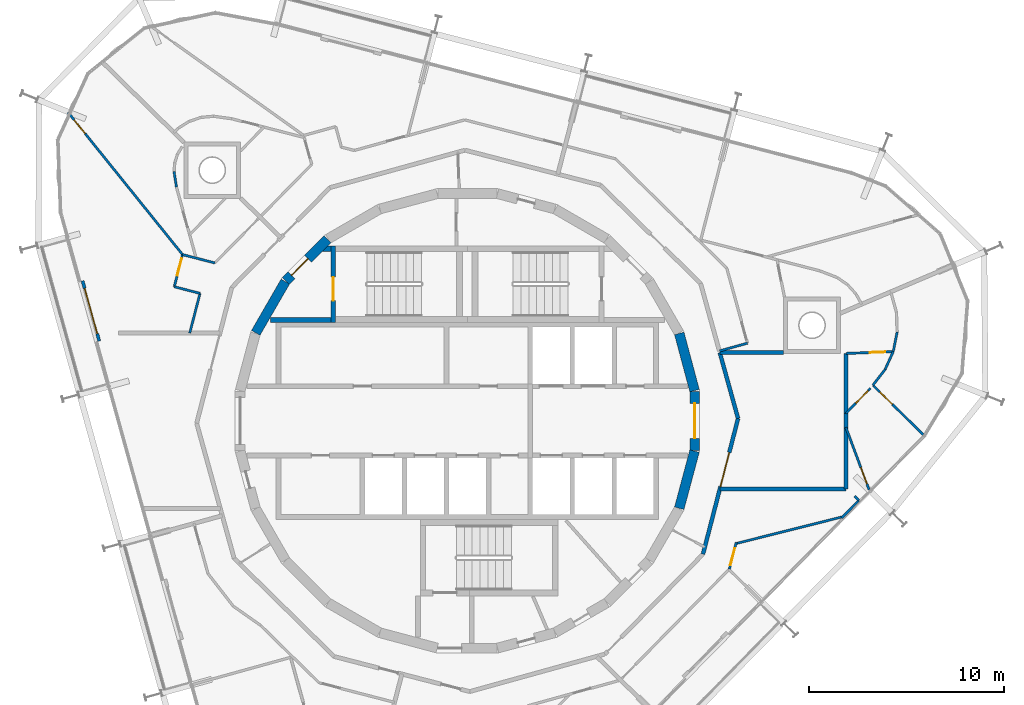
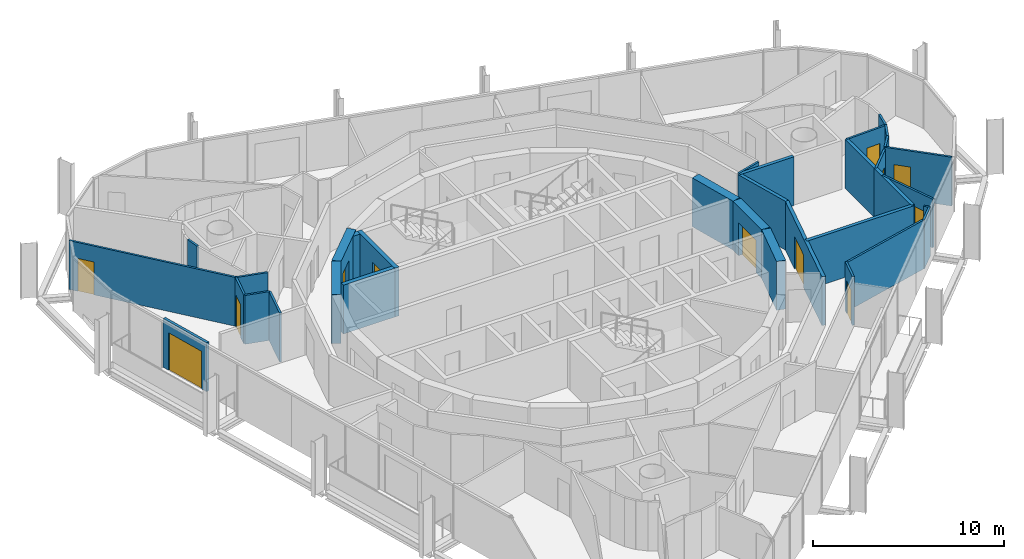
# One storey, part 12 of 16: 33 walls, 12 doors, 12 openings.
"""IFC4 building model written with IfcOpenShell, lengths in metres."""

from ifc_helpers import new_model, si_unit, direction, frame, frame_2d, origin, place, context, subcontext, project, spatial, polyline, rectangle, outline, extrude, material, layer, layer_set, type_object, element, fill, save


model = new_model("IFC4")

# Units and contexts
model_context = context("Model", 3, precision=1e-05, world=origin(), true_north=direction((0.0, 1.0)))
body_context = subcontext(model_context, "Body", "Model", "MODEL_VIEW")
ifc_project = project(units=[si_unit("LENGTHUNIT", "METRE"), si_unit("AREAUNIT", "SQUARE_METRE"), si_unit("VOLUMEUNIT", "CUBIC_METRE"), si_unit("PLANEANGLEUNIT", "RADIAN"), si_unit("MASSUNIT", "GRAM", prefix="KILO")], contexts=[model_context])

# Site, building, storey
site_placement = place(None, origin())
site = spatial("IfcSite", under=ifc_project, at=site_placement, CompositionType="ELEMENT")
building_placement = place(site_placement, origin())
building = spatial("IfcBuilding", under=site, at=building_placement, Name="Spindle Arch Residences", CompositionType="ELEMENT")
storey_placement = place(building_placement, frame((0.0, 0.0, 301.699951171875)))
storey = spatial("IfcBuildingStorey", under=building, at=storey_placement, Name="L77", CompositionType="ELEMENT", Elevation=301.699951171875)

# Wall
ifc_material_1 = material(Name="Concrete C50/60", Category="concrete")
ifc_layer_1 = layer(ifc_material_1, 0.5)
ifc_layer_set_1 = layer_set([ifc_layer_1], Name="Core outline wall 500")
wall_type_1 = type_object("IfcWallType", Name="Core outline wall 500", PredefinedType="SHEAR", material=ifc_layer_set_1)
wall_1_placement = place(storey_placement, frame((10.858154296875, -4.479248046875, 0.0), z_axis=(0.0, 0.0, 1.0), x_axis=(0.258734743916, 0.965948410781, 0.0)))
element("IfcWall", 1, at=wall_1_placement, inside=storey, type_object=wall_type_1, Name="Core outline wall 5", PredefinedType="SHEAR", context=body_context, shape_type="SweptSolid", body=[
    extrude(rectangle(XDim=3.03271484375, YDim=0.5, at=frame_2d((1.516357421875, 0.0))), origin(), (0.0, 0.0, 1.0), 3.1201171875),
])

# Wall, opening, door
wall_2_placement = place(storey_placement, frame((11.647216796875, -1.516357421875, 0.0), z_axis=(0.0, 0.0, 1.0), x_axis=(0.0, 1.0, 0.0)))
wall_2 = element("IfcWall", 2, at=wall_2_placement, inside=storey, type_object=wall_type_1, Name="Core outline wall 6", PredefinedType="SHEAR", context=body_context, shape_type="SweptSolid", body=[
    extrude(rectangle(XDim=3.03271484375, YDim=0.5, at=frame_2d((1.516357421875, 0.0))), origin(), (0.0, 0.0, 1.0), 3.1201171875),
])
opening_1_placement = place(wall_2_placement, frame((0.6162109375, 0.0, 0.0)))
opening_1 = element("IfcOpeningElement", 3, at=opening_1_placement, cuts=wall_2, Name="Opening R8A1-FE01", PredefinedType="OPENING", context=body_context, shape_type="SweptSolid", body=[
    extrude(rectangle(XDim=1.800048828125, YDim=2.10009765625, at=frame_2d((0.89990234375, 1.050048828125))), frame((0.0, 0.260009765625, 0.0), z_axis=(0.0, -1.0, 0.0), x_axis=(1.0, 0.0, 0.0)), (0.0, 0.0, 1.0), 0.52001953125),
])
ifc_material_2 = material(Name="Steel, fire-resisting door", Category="steel")
door_type_1 = type_object("IfcDoorType", Name="Fire-lift lobby door 1800x2100", OperationType="DOUBLE_DOOR_SINGLE_SWING", PredefinedType="DOOR", material=ifc_material_2)
door_1_placement = place(opening_1_placement, origin())
door_1 = element("IfcDoor", 4, at=door_1_placement, inside=storey, type_object=door_type_1, Name="Fire-lift lobby door R8A1-FE01", OperationType="DOUBLE_DOOR_SINGLE_SWING", OverallHeight=2.10009765625, OverallWidth=1.800048828125, PredefinedType="DOOR", context=body_context, shape_type="SweptSolid", body=[
    extrude(rectangle(XDim=1.800048828125, YDim=2.10009765625, at=frame_2d((0.89990234375, 1.050048828125))), frame((0.0, 0.02490234375, 0.0), z_axis=(0.0, -1.0, 0.0), x_axis=(1.0, 0.0, 0.0)), (0.0, 0.0, 1.0), 0.050048828125),
])
fill(opening_1, door_1)

# Wall
wall_3_placement = place(storey_placement, frame((11.642822265625, 1.5498046875, 0.0), z_axis=(0.0, 0.0, 1.0), x_axis=(-0.258734743916, 0.965948410781, 0.0)))
element("IfcWall", 5, at=wall_3_placement, inside=storey, type_object=wall_type_1, Name="Core outline wall 7", PredefinedType="SHEAR", context=body_context, shape_type="SweptSolid", body=[
    extrude(rectangle(XDim=3.03271484375, YDim=0.5, at=frame_2d((1.516357421875, 0.0))), origin(), (0.0, 0.0, 1.0), 3.1201171875),
])

# Wall, opening, door
wall_4_placement = place(storey_placement, frame((-7.163818359375, 9.30810546875, 0.0), z_axis=(0.0, 0.0, 1.0), x_axis=(-0.707106781187, -0.707106781187, 0.0)))
wall_4 = element("IfcWall", 6, at=wall_4_placement, inside=storey, type_object=wall_type_1, Name="Core outline wall 15", PredefinedType="SHEAR", context=body_context, shape_type="SweptSolid", body=[
    extrude(rectangle(XDim=3.032470703125, YDim=0.5, at=frame_2d((1.51611328125, 0.0))), origin(), (0.0, 0.0, 1.0), 3.1201171875),
])
opening_2_placement = place(wall_4_placement, frame((1.416259765625, 0.0, 0.0)))
opening_2 = element("IfcOpeningElement", 7, at=opening_2_placement, cuts=wall_4, Name="Opening R8A1-AD02", PredefinedType="OPENING", context=body_context, shape_type="SweptSolid", body=[
    extrude(rectangle(XDim=1.199951171875, YDim=2.10009765625, at=frame_2d((0.60009765625, 1.050048828125))), frame((0.0, 0.260009765625, 0.0), z_axis=(0.0, -1.0, 0.0), x_axis=(1.0, 0.0, 0.0)), (0.0, 0.0, 1.0), 0.52001953125),
])
ifc_material_3 = material(Name="Steel, fire-resisting door", Category="steel")
door_type_2 = type_object("IfcDoorType", Name="Stair airlock door 1200x2100", OperationType="SINGLE_SWING_LEFT", PredefinedType="DOOR", material=ifc_material_3)
door_2_placement = place(opening_2_placement, origin())
door_2 = element("IfcDoor", 8, at=door_2_placement, inside=storey, type_object=door_type_2, Name="Stair airlock door R8A1-AD02", OperationType="SINGLE_SWING_RIGHT", OverallHeight=2.10009765625, OverallWidth=1.199951171875, PredefinedType="DOOR", context=body_context, shape_type="SweptSolid", body=[
    extrude(rectangle(XDim=1.199951171875, YDim=2.10009765625, at=frame_2d((0.60009765625, 1.050048828125))), frame((0.0, 0.02490234375, 0.0), z_axis=(0.0, -1.0, 0.0), x_axis=(1.0, 0.0, 0.0)), (0.0, 0.0, 1.0), 0.050048828125),
])
fill(opening_2, door_2)

# Wall
wall_5_placement = place(storey_placement, frame((-9.32861328125, 7.13671875, 0.0), z_axis=(0.0, 0.0, 1.0), x_axis=(-0.500087131594, -0.865975092491, 0.0)))
element("IfcWall", 9, at=wall_5_placement, inside=storey, type_object=wall_type_1, Name="Core outline wall 16", PredefinedType="SHEAR", context=body_context, shape_type="SweptSolid", body=[
    extrude(rectangle(XDim=3.03271484375, YDim=0.5, at=frame_2d((1.516357421875, 0.0))), origin(), (0.0, 0.0, 1.0), 3.1201171875),
])

# Wall, opening, door
ifc_material_4 = material(Name="Calcium silicate block, plastered")
ifc_layer_2 = layer(ifc_material_4, 0.199951171875)
ifc_layer_set_2 = layer_set([ifc_layer_2], Name="Fire-lift lobby bay wall 200")
wall_type_2 = type_object("IfcWallType", Name="Fire-lift lobby bay wall 200", PredefinedType="STANDARD", material=ifc_layer_set_2)
wall_6_placement = place(storey_placement, frame((12.07421875, -6.831298828125, 0.0), z_axis=(0.0, 0.0, 1.0), x_axis=(0.250391063186, 0.968144780225, 0.0)))
wall_6 = element("IfcWall", 10, at=wall_6_placement, inside=storey, type_object=wall_type_2, Name="Fire-lift lobby bay wall R8A1-W004", PredefinedType="STANDARD", context=body_context, shape_type="SweptSolid", body=[
    extrude(rectangle(XDim=7.18115234375, YDim=0.199951171875, at=frame_2d((3.590576171875, 0.0))), origin(), (0.0, 0.0, 1.0), 3.1201171875),
])
opening_3_placement = place(wall_6_placement, frame((3.580810546875, 0.0, 0.0)))
opening_3 = element("IfcOpeningElement", 11, at=opening_3_placement, cuts=wall_6, Name="Opening R8A1-FB01", PredefinedType="OPENING", context=body_context, shape_type="SweptSolid", body=[
    extrude(rectangle(XDim=1.800048828125, YDim=2.10009765625, at=frame_2d((0.89990234375, 1.050048828125))), frame((0.0, 0.10986328125, 0.0), z_axis=(0.0, -1.0, 0.0), x_axis=(1.0, 0.0, 0.0)), (0.0, 0.0, 1.0), 0.219970703125),
])
ifc_material_5 = material(Name="Steel, fire-resisting door", Category="steel")
door_type_3 = type_object("IfcDoorType", Name="Fire-lift lobby bay door 1800x2100", OperationType="NOTDEFINED", PredefinedType="DOOR", material=ifc_material_5)
door_3_placement = place(opening_3_placement, origin())
door_3 = element("IfcDoor", 12, at=door_3_placement, inside=storey, type_object=door_type_3, Name="Fire-lift lobby bay door R8A1-FB01", OperationType="DOUBLE_DOOR_SINGLE_SWING", OverallHeight=2.10009765625, OverallWidth=1.800048828125, PredefinedType="DOOR", context=body_context, shape_type="SweptSolid", body=[
    extrude(rectangle(XDim=1.800048828125, YDim=2.10009765625, at=frame_2d((0.89990234375, 1.050048828125))), frame((0.0, 0.02490234375, 0.0), z_axis=(0.0, -1.0, 0.0), x_axis=(1.0, 0.0, 0.0)), (0.0, 0.0, 1.0), 0.050048828125),
])
fill(opening_3, door_3)

# Walls
wall_7_placement = place(storey_placement, frame((13.872314453125, 0.12109375, 0.0), z_axis=(0.0, 0.0, 1.0), x_axis=(-0.267291928416, 0.963615600228, 0.0)))
element("IfcWall", 13, at=wall_7_placement, inside=storey, type_object=wall_type_2, Name="Fire-lift lobby bay wall R8A1-W005", PredefinedType="STANDARD", context=body_context, shape_type="SweptSolid", body=[
    extrude(rectangle(XDim=3.506591796875, YDim=0.199951171875, at=frame_2d((1.75341796875, 0.0))), origin(), (0.0, 0.0, 1.0), 3.1201171875),
])
wall_8_placement = place(storey_placement, frame((16.20263671875, 3.510009765625, 0.0), z_axis=(0.0, 0.0, 1.0), x_axis=(-1.0, 0.0, 0.0)))
element("IfcWall", 14, at=wall_8_placement, inside=storey, type_object=wall_type_2, Name="Fire-lift lobby bay wall R8A1-W019", PredefinedType="STANDARD", context=body_context, shape_type="SweptSolid", body=[
    extrude(rectangle(XDim=3.260009765625, YDim=0.199951171875, at=frame_2d((1.6298828125, 0.0))), origin(), (0.0, 0.0, 1.0), 3.1201171875),
])
wall_9_placement = place(storey_placement, frame((12.935791015625, -3.5, 0.0), z_axis=(0.0, 0.0, 1.0), x_axis=(1.0, 0.0, 0.0)))
element("IfcWall", 15, at=wall_9_placement, inside=storey, type_object=wall_type_2, Name="Fire-lift lobby bay wall R8A1-W020", PredefinedType="STANDARD", context=body_context, shape_type="SweptSolid", body=[
    extrude(rectangle(XDim=6.464111328125, YDim=0.199951171875, at=frame_2d((3.23193359375, 0.0))), origin(), (0.0, 0.0, 1.0), 3.1201171875),
])
wall_10_placement = place(storey_placement, frame((19.39990234375, -3.5, 0.0), z_axis=(0.0, 0.0, 1.0), x_axis=(0.0, 1.0, 0.0)))
element("IfcWall", 16, at=wall_10_placement, inside=storey, type_object=wall_type_2, Name="Fire-lift lobby bay wall R8A1-W021", PredefinedType="STANDARD", context=body_context, shape_type="SweptSolid", body=[
    extrude(rectangle(XDim=3.888671875, YDim=0.199951171875, at=frame_2d((1.9443359375, 0.0))), origin(), (0.0, 0.0, 1.0), 3.1201171875),
])
wall_11_placement = place(storey_placement, frame((19.39990234375, 0.388671875, 0.0), z_axis=(0.0, 0.0, 1.0), x_axis=(0.0, 1.0, 0.0)))
element("IfcWall", 17, at=wall_11_placement, inside=storey, type_object=wall_type_2, Name="Fire-lift lobby bay wall R8A1-W022", PredefinedType="STANDARD", context=body_context, shape_type="SweptSolid", body=[
    extrude(rectangle(XDim=3.065185546875, YDim=0.199951171875, at=frame_2d((1.53271484375, 0.0))), origin(), (0.0, 0.0, 1.0), 3.1201171875),
])
ifc_material_6 = material(Name="Plasterboard on steel studs", Category="steel")
ifc_layer_3 = layer(ifc_material_6, 0.1201171875)
ifc_layer_set_3 = layer_set([ifc_layer_3], Name="Flat partition 120")
wall_type_3 = type_object("IfcWallType", Name="Flat partition 120", PredefinedType="PARTITIONING", material=ifc_layer_set_3)
wall_12_placement = place(storey_placement, frame((12.927001953125, 3.5849609375, 0.0), z_axis=(0.0, 0.0, 1.0), x_axis=(0.963616756608, 0.26728775951, 0.0)))
element("IfcWall", 18, at=wall_12_placement, inside=storey, type_object=wall_type_3, Name="Flat partition R8A1-W032", PredefinedType="PARTITIONING", context=body_context, shape_type="SweptSolid", body=[
    extrude(rectangle(XDim=1.485107421875, YDim=0.1201171875, at=frame_2d((0.74267578125, 0.0))), origin(), (0.0, 0.0, 1.0), 3.1201171875),
])
wall_13_placement = place(storey_placement, frame((-12.938720703125, 8.091552734375, 0.0), z_axis=(0.0, 0.0, 1.0), x_axis=(-0.968179141411, 0.250258166974, 0.0)))
element("IfcWall", 19, at=wall_13_placement, inside=storey, type_object=wall_type_3, Name="Flat partition R8A1-W059", PredefinedType="PARTITIONING", context=body_context, shape_type="SweptSolid", body=[
    extrude(rectangle(XDim=1.709228515625, YDim=0.1201171875, at=frame_2d((0.8544921875, 0.0))), origin(), (0.0, 0.0, 1.0), 3.1201171875),
])

# Wall, opening, door
wall_14_placement = place(storey_placement, frame((-14.593505859375, 8.519287109375, 0.0), z_axis=(0.0, 0.0, 1.0), x_axis=(-0.250468695288, -0.968124698931, 0.0)))
wall_14 = element("IfcWall", 20, at=wall_14_placement, inside=storey, type_object=wall_type_3, Name="Flat partition R8A1-W060", PredefinedType="PARTITIONING", context=body_context, shape_type="SweptSolid", body=[
    extrude(rectangle(XDim=1.699951171875, YDim=0.1201171875, at=frame_2d((0.85009765625, 0.0))), origin(), (0.0, 0.0, 1.0), 3.1201171875),
])
opening_4_placement = place(wall_14_placement, frame((0.199951171875, 0.0, 0.0)))
opening_4 = element("IfcOpeningElement", 21, at=opening_4_placement, cuts=wall_14, Name="Opening R8A1-ID10", PredefinedType="OPENING", context=body_context, shape_type="SweptSolid", body=[
    extrude(rectangle(XDim=0.89990234375, YDim=2.10009765625, at=frame_2d((0.449951171875, 1.050048828125))), frame((0.0, 0.070068359375, 0.0), z_axis=(0.0, -1.0, 0.0), x_axis=(1.0, 0.0, 0.0)), (0.0, 0.0, 1.0), 0.14013671875),
])
ifc_material_7 = material(Name="Timber door set", Category="wood")
door_type_4 = type_object("IfcDoorType", Name="Room door 900x2100", OperationType="NOTDEFINED", PredefinedType="DOOR", material=ifc_material_7)
door_4_placement = place(opening_4_placement, origin())
door_4 = element("IfcDoor", 22, at=door_4_placement, inside=storey, type_object=door_type_4, Name="Room door R8A1-ID10", OperationType="SINGLE_SWING_LEFT", OverallHeight=2.10009765625, OverallWidth=0.89990234375, PredefinedType="DOOR", context=body_context, shape_type="SweptSolid", body=[
    extrude(rectangle(XDim=0.89990234375, YDim=2.10009765625, at=frame_2d((0.449951171875, 1.050048828125))), frame((0.0, 0.02490234375, 0.0), z_axis=(0.0, -1.0, 0.0), x_axis=(1.0, 0.0, 0.0)), (0.0, 0.0, 1.0), 0.050048828125),
])
fill(opening_4, door_4)

# Walls
wall_15_placement = place(storey_placement, frame((-15.019287109375, 6.87353515625, 0.0), z_axis=(0.0, 0.0, 1.0), x_axis=(0.968182114673, -0.250246663967, 0.0)))
element("IfcWall", 23, at=wall_15_placement, inside=storey, type_object=wall_type_3, Name="Flat partition R8A1-W061", PredefinedType="PARTITIONING", context=body_context, shape_type="SweptSolid", body=[
    extrude(rectangle(XDim=1.36181640625, YDim=0.1201171875, at=frame_2d((0.680908203125, 0.0))), origin(), (0.0, 0.0, 1.0), 3.1201171875),
])
wall_16_placement = place(storey_placement, frame((-13.70068359375, 6.53271484375, 0.0), z_axis=(0.0, 0.0, 1.0), x_axis=(-0.250352755349, -0.968154686963, 0.0)))
element("IfcWall", 24, at=wall_16_placement, inside=storey, type_object=wall_type_3, Name="Flat partition R8A1-W062", PredefinedType="PARTITIONING", context=body_context, shape_type="SweptSolid", body=[
    extrude(rectangle(XDim=2.099609375, YDim=0.1201171875, at=frame_2d((1.0498046875, 0.0))), origin(), (0.0, 0.0, 1.0), 3.1201171875),
])
wall_17_placement = place(storey_placement, frame((-14.9072265625, 11.975830078125, 0.0), z_axis=(0.0, 0.0, 1.0), x_axis=(-0.153398456533, 0.988164416245, 0.0)))
element("IfcWall", 25, at=wall_17_placement, inside=storey, type_object=wall_type_3, Name="Flat partition R8A1-W064", PredefinedType="PARTITIONING", context=body_context, shape_type="SweptSolid", body=[
    extrude(rectangle(XDim=0.806884765625, YDim=0.1201171875, at=frame_2d((0.4033203125, 0.0))), origin(), (0.0, 0.0, 1.0), 3.1201171875),
])

# Wall, opening, door
wall_18_placement = place(storey_placement, frame((-20.46630859375, 15.812255859375, 0.0), z_axis=(0.0, 0.0, 1.0), x_axis=(0.62719424473, -0.77886287585, 0.0)))
wall_18 = element("IfcWall", 26, at=wall_18_placement, inside=storey, type_object=wall_type_3, Name="Flat partition R8A1-W068", PredefinedType="PARTITIONING", context=body_context, shape_type="SweptSolid", body=[
    extrude(rectangle(XDim=9.363525390625, YDim=0.1201171875, at=frame_2d((4.681640625, 0.0))), origin(), (0.0, 0.0, 1.0), 3.1201171875),
])
opening_5_placement = place(wall_18_placement, frame((0.5, 0.0, 0.0)))
opening_5 = element("IfcOpeningElement", 27, at=opening_5_placement, cuts=wall_18, Name="Opening R8A1-ID11", PredefinedType="OPENING", context=body_context, shape_type="SweptSolid", body=[
    extrude(rectangle(XDim=0.89990234375, YDim=2.10009765625, at=frame_2d((0.449951171875, 1.050048828125))), frame((0.0, 0.070068359375, 0.0), z_axis=(0.0, -1.0, 0.0), x_axis=(1.0, 0.0, 0.0)), (0.0, 0.0, 1.0), 0.14013671875),
])
door_5_placement = place(opening_5_placement, origin())
door_5 = element("IfcDoor", 28, at=door_5_placement, inside=storey, type_object=door_type_4, Name="Room door R8A1-ID11", OperationType="SINGLE_SWING_LEFT", OverallHeight=2.10009765625, OverallWidth=0.89990234375, PredefinedType="DOOR", context=body_context, shape_type="SweptSolid", body=[
    extrude(rectangle(XDim=0.89990234375, YDim=2.10009765625, at=frame_2d((0.449951171875, 1.050048828125))), frame((0.0, 0.02490234375, 0.0), z_axis=(0.0, -1.0, 0.0), x_axis=(1.0, 0.0, 0.0)), (0.0, 0.0, 1.0), 0.050048828125),
])
fill(opening_5, door_5)

wall_19_placement = place(storey_placement, frame((13.42578125, -7.595947265625, 0.0), z_axis=(0.0, 0.0, 1.0), x_axis=(0.250380027586, 0.968147634292, 0.0)))
wall_19 = element("IfcWall", 29, at=wall_19_placement, inside=storey, type_object=wall_type_3, Name="Flat partition R8A1-W097", PredefinedType="PARTITIONING", context=body_context, shape_type="SweptSolid", body=[
    extrude(rectangle(XDim=1.411865234375, YDim=0.1201171875, at=frame_2d((0.7060546875, 0.0))), origin(), (0.0, 0.0, 1.0), 3.1201171875),
])
opening_6_placement = place(wall_19_placement, frame((0.199951171875, 0.0, 0.0)))
opening_6 = element("IfcOpeningElement", 30, at=opening_6_placement, cuts=wall_19, Name="Opening R8A1-ID22", PredefinedType="OPENING", context=body_context, shape_type="SweptSolid", body=[
    extrude(rectangle(XDim=0.89990234375, YDim=2.10009765625, at=frame_2d((0.449951171875, 1.050048828125))), frame((0.0, 0.070068359375, 0.0), z_axis=(0.0, -1.0, 0.0), x_axis=(1.0, 0.0, 0.0)), (0.0, 0.0, 1.0), 0.14013671875),
])
door_6_placement = place(opening_6_placement, origin())
door_6 = element("IfcDoor", 31, at=door_6_placement, inside=storey, type_object=door_type_4, Name="Room door R8A1-ID22", OperationType="SINGLE_SWING_RIGHT", OverallHeight=2.10009765625, OverallWidth=0.89990234375, PredefinedType="DOOR", context=body_context, shape_type="SweptSolid", body=[
    extrude(rectangle(XDim=0.89990234375, YDim=2.10009765625, at=frame_2d((0.449951171875, 1.050048828125))), frame((0.0, 0.02490234375, 0.0), z_axis=(0.0, -1.0, 0.0), x_axis=(1.0, 0.0, 0.0)), (0.0, 0.0, 1.0), 0.050048828125),
])
fill(opening_6, door_6)

# Walls
wall_20_placement = place(storey_placement, frame((13.7919921875, -6.27978515625, 0.0), z_axis=(0.0, 0.0, 1.0), x_axis=(0.970009253073, 0.243067992449, 0.0)))
element("IfcWall", 32, at=wall_20_placement, inside=storey, type_object=wall_type_3, Name="Flat partition R8A1-W098", PredefinedType="PARTITIONING", context=body_context, shape_type="SweptSolid", body=[
    extrude(rectangle(XDim=5.610595703125, YDim=0.1201171875, at=frame_2d((2.80517578125, 0.0))), origin(), (0.0, 0.0, 1.0), 3.1201171875),
])
wall_21_placement = place(storey_placement, frame((19.180419921875, -4.970703125, 0.0), z_axis=(0.0, 0.0, 1.0), x_axis=(0.700974030867, 0.713186797445, 0.0)))
element("IfcWall", 33, at=wall_21_placement, inside=storey, type_object=wall_type_3, Name="Flat partition R8A1-W099", PredefinedType="PARTITIONING", context=body_context, shape_type="SweptSolid", body=[
    extrude(rectangle(XDim=1.259521484375, YDim=0.1201171875, at=frame_2d((0.6298828125, 0.0))), origin(), (0.0, 0.0, 1.0), 3.1201171875),
])

# Wall, opening, door
wall_22_placement = place(storey_placement, frame((20.589599609375, -3.536865234375, 0.0), z_axis=(0.0, 0.0, 1.0), x_axis=(-0.348621180513, 0.937263715556, 0.0)))
wall_22 = element("IfcWall", 34, at=wall_22_placement, inside=storey, type_object=wall_type_3, Name="Flat partition R8A1-W100", PredefinedType="PARTITIONING", context=body_context, shape_type="SweptSolid", body=[
    extrude(rectangle(XDim=3.41259765625, YDim=0.1201171875, at=frame_2d((1.706298828125, 0.0))), origin(), (0.0, 0.0, 1.0), 3.1201171875),
])
opening_7_placement = place(wall_22_placement, frame((0.320068359375, 0.0, 0.0)))
opening_7 = element("IfcOpeningElement", 35, at=opening_7_placement, cuts=wall_22, Name="Opening R8A1-ID23", PredefinedType="OPENING", context=body_context, shape_type="SweptSolid", body=[
    extrude(rectangle(XDim=0.89990234375, YDim=2.10009765625, at=frame_2d((0.449951171875, 1.050048828125))), frame((0.0, 0.070068359375, 0.0), z_axis=(0.0, -1.0, 0.0), x_axis=(1.0, 0.0, 0.0)), (0.0, 0.0, 1.0), 0.14013671875),
])
door_7_placement = place(opening_7_placement, origin())
door_7 = element("IfcDoor", 36, at=door_7_placement, inside=storey, type_object=door_type_4, Name="Room door R8A1-ID23", OperationType="SINGLE_SWING_RIGHT", OverallHeight=2.10009765625, OverallWidth=0.89990234375, PredefinedType="DOOR", context=body_context, shape_type="SweptSolid", body=[
    extrude(rectangle(XDim=0.89990234375, YDim=2.10009765625, at=frame_2d((0.449951171875, 1.050048828125))), frame((0.0, 0.02490234375, 0.0), z_axis=(0.0, -1.0, 0.0), x_axis=(1.0, 0.0, 0.0)), (0.0, 0.0, 1.0), 0.050048828125),
])
fill(opening_7, door_7)

# Walls
wall_23_placement = place(storey_placement, frame((20.78125, 1.82861328125, 0.0), z_axis=(0.0, 0.0, 1.0), x_axis=(0.613326972183, 0.789829111386, 0.0)))
element("IfcWall", 37, at=wall_23_placement, inside=storey, type_object=wall_type_3, Name="Flat partition R8A1-W101", PredefinedType="PARTITIONING", context=body_context, shape_type="SweptSolid", body=[
    extrude(rectangle(XDim=1.01953125, YDim=0.1201171875, at=frame_2d((0.509765625, 0.0))), origin(), (0.0, 0.0, 1.0), 3.1201171875),
])
wall_24_placement = place(storey_placement, frame((21.406494140625, 2.6337890625, 0.0), z_axis=(0.0, 0.0, 1.0), x_axis=(0.414726005229, 0.909946339399, 0.0)))
element("IfcWall", 38, at=wall_24_placement, inside=storey, type_object=wall_type_3, Name="Flat partition R8A1-W102", PredefinedType="PARTITIONING", context=body_context, shape_type="SweptSolid", body=[
    extrude(rectangle(XDim=1.01611328125, YDim=0.1201171875, at=frame_2d((0.508056640625, 0.0))), origin(), (0.0, 0.0, 1.0), 3.1201171875),
])

# Wall, opening, door
wall_25_placement = place(storey_placement, frame((21.822021484375, 3.54541015625, 0.0), z_axis=(0.0, 0.0, 1.0), x_axis=(-0.999286397149, -0.037771635816, 0.0)))
wall_25 = element("IfcWall", 39, at=wall_25_placement, inside=storey, type_object=wall_type_3, Name="Flat partition R8A1-W103", PredefinedType="PARTITIONING", context=body_context, shape_type="SweptSolid", body=[
    extrude(rectangle(XDim=2.423828125, YDim=0.1201171875, at=frame_2d((1.2119140625, 0.0))), origin(), (0.0, 0.0, 1.0), 3.1201171875),
])
opening_8_placement = place(wall_25_placement, frame((0.39990234375, 0.0, 0.0)))
opening_8 = element("IfcOpeningElement", 40, at=opening_8_placement, cuts=wall_25, Name="Opening R8A1-BD06", PredefinedType="OPENING", context=body_context, shape_type="SweptSolid", body=[
    extrude(rectangle(XDim=0.800048828125, YDim=2.10009765625, at=frame_2d((0.39990234375, 1.050048828125))), frame((0.0, 0.070068359375, 0.0), z_axis=(0.0, -1.0, 0.0), x_axis=(1.0, 0.0, 0.0)), (0.0, 0.0, 1.0), 0.14013671875),
])
ifc_material_8 = material(Name="Timber door set", Category="wood")
door_type_5 = type_object("IfcDoorType", Name="Bathroom door 800x2100", OperationType="NOTDEFINED", PredefinedType="DOOR", material=ifc_material_8)
door_8_placement = place(opening_8_placement, origin())
door_8 = element("IfcDoor", 41, at=door_8_placement, inside=storey, type_object=door_type_5, Name="Bathroom door R8A1-BD06", OperationType="SINGLE_SWING_RIGHT", OverallHeight=2.10009765625, OverallWidth=0.800048828125, PredefinedType="DOOR", context=body_context, shape_type="SweptSolid", body=[
    extrude(rectangle(XDim=0.800048828125, YDim=2.10009765625, at=frame_2d((0.39990234375, 1.050048828125))), frame((0.0, 0.02490234375, 0.0), z_axis=(0.0, -1.0, 0.0), x_axis=(1.0, 0.0, 0.0)), (0.0, 0.0, 1.0), 0.050048828125),
])
fill(opening_8, door_8)

wall_26_placement = place(storey_placement, frame((19.39990234375, 0.388671875, 0.0), z_axis=(0.0, 0.0, 1.0), x_axis=(0.700870484553, 0.713288555833, 0.0)))
wall_26 = element("IfcWall", 42, at=wall_26_placement, inside=storey, type_object=wall_type_3, Name="Flat partition R8A1-W104", PredefinedType="PARTITIONING", context=body_context, shape_type="SweptSolid", body=[
    extrude(rectangle(XDim=1.7890625, YDim=0.1201171875, at=frame_2d((0.89453125, 0.0))), origin(), (0.0, 0.0, 1.0), 3.1201171875),
])
opening_9_placement = place(wall_26_placement, frame((0.719970703125, 0.0, 0.0)))
opening_9 = element("IfcOpeningElement", 43, at=opening_9_placement, cuts=wall_26, Name="Opening R8A1-ID24", PredefinedType="OPENING", context=body_context, shape_type="SweptSolid", body=[
    extrude(rectangle(XDim=0.89990234375, YDim=2.10009765625, at=frame_2d((0.449951171875, 1.050048828125))), frame((0.0, 0.070068359375, 0.0), z_axis=(0.0, -1.0, 0.0), x_axis=(1.0, 0.0, 0.0)), (0.0, 0.0, 1.0), 0.14013671875),
])
door_9_placement = place(opening_9_placement, origin())
door_9 = element("IfcDoor", 44, at=door_9_placement, inside=storey, type_object=door_type_4, Name="Room door R8A1-ID24", OperationType="SINGLE_SWING_LEFT", OverallHeight=2.10009765625, OverallWidth=0.89990234375, PredefinedType="DOOR", context=body_context, shape_type="SweptSolid", body=[
    extrude(rectangle(XDim=0.89990234375, YDim=2.10009765625, at=frame_2d((0.449951171875, 1.050048828125))), frame((0.0, 0.02490234375, 0.0), z_axis=(0.0, -1.0, 0.0), x_axis=(1.0, 0.0, 0.0)), (0.0, 0.0, 1.0), 0.050048828125),
])
fill(opening_9, door_9)

# Wall
wall_27_placement = place(storey_placement, frame((22.024658203125, 4.554931640625, 0.0), z_axis=(0.0, 0.0, 1.0), x_axis=(-0.193712169286, -0.981058405739, 0.0)))
element("IfcWall", 45, at=wall_27_placement, inside=storey, type_object=wall_type_3, Name="Flat partition R8A1-W107", PredefinedType="PARTITIONING", context=body_context, shape_type="SweptSolid", body=[
    extrude(rectangle(XDim=1.015869140625, YDim=0.1201171875, at=frame_2d((0.5078125, 0.0))), origin(), (0.0, 0.0, 1.0), 3.1201171875),
])

# Wall, opening, door
wall_28_placement = place(storey_placement, frame((20.78125, 1.82861328125, 0.0), z_axis=(0.0, 0.0, 1.0), x_axis=(0.713277344744, -0.700881894099, 0.0)))
wall_28 = element("IfcWall", 46, at=wall_28_placement, inside=storey, type_object=wall_type_3, Name="Flat partition R8A1-W108", PredefinedType="PARTITIONING", context=body_context, shape_type="SweptSolid", body=[
    extrude(rectangle(XDim=3.6240234375, YDim=0.1201171875, at=frame_2d((1.81201171875, 0.0))), origin(), (0.0, 0.0, 1.0), 3.1201171875),
])
opening_10_placement = place(wall_28_placement, frame((0.5, 0.0, 0.0)))
opening_10 = element("IfcOpeningElement", 47, at=opening_10_placement, cuts=wall_28, Name="Opening R8A1-ID25", PredefinedType="OPENING", context=body_context, shape_type="SweptSolid", body=[
    extrude(rectangle(XDim=0.89990234375, YDim=2.10009765625, at=frame_2d((0.449951171875, 1.050048828125))), frame((0.0, 0.070068359375, 0.0), z_axis=(0.0, -1.0, 0.0), x_axis=(1.0, 0.0, 0.0)), (0.0, 0.0, 1.0), 0.14013671875),
])
door_10_placement = place(opening_10_placement, origin())
door_10 = element("IfcDoor", 48, at=door_10_placement, inside=storey, type_object=door_type_4, Name="Room door R8A1-ID25", OperationType="SINGLE_SWING_RIGHT", OverallHeight=2.10009765625, OverallWidth=0.89990234375, PredefinedType="DOOR", context=body_context, shape_type="SweptSolid", body=[
    extrude(rectangle(XDim=0.89990234375, YDim=2.10009765625, at=frame_2d((0.449951171875, 1.050048828125))), frame((0.0, 0.02490234375, 0.0), z_axis=(0.0, -1.0, 0.0), x_axis=(1.0, 0.0, 0.0)), (0.0, 0.0, 1.0), 0.050048828125),
])
fill(opening_10, door_10)

# Wall
wall_29_placement = place(storey_placement, frame((20.063232421875, -4.072509765625, 0.0), z_axis=(0.0, 0.0, 1.0), x_axis=(-0.7135861572, 0.700567481584, 0.0)))
element("IfcWall", 49, at=wall_29_placement, inside=storey, type_object=wall_type_3, Name="Flat partition R8A1-W110", PredefinedType="PARTITIONING", context=body_context, shape_type="SweptSolid", body=[
    extrude(rectangle(XDim=0.300048828125, YDim=0.1201171875, at=frame_2d((0.14990234375, 0.0))), origin(), (0.0, 0.0, 1.0), 3.1201171875),
])

# Wall, opening, door
ifc_material_9 = material(Name="Non-combustible mineral wool insulated aluminium faced external wall (K0)", Category="aluminium")
ifc_layer_4 = layer(ifc_material_9, 0.159912109375)
ifc_layer_set_4 = layer_set([ifc_layer_4], Name="Insulated external wall panel 160")
wall_type_4 = type_object("IfcWallType", Name="Insulated external wall panel 160", PredefinedType="STANDARD", material=ifc_layer_set_4)
wall_30_placement = place(storey_placement, frame((-19.71826171875, 7.17138671875, 0.0), z_axis=(0.0, 0.0, 1.0), x_axis=(0.267266077957, -0.963622770369, 0.0)))
wall_30 = element("IfcWall", 50, at=wall_30_placement, inside=storey, type_object=wall_type_4, Name="External wall L77 bay 12", PredefinedType="STANDARD", context=body_context, shape_type="SweptSolid", body=[
    extrude(rectangle(XDim=3.199951171875, YDim=0.159912109375, at=frame_2d((1.60009765625, 0.0))), origin(), (0.0, 0.0, 1.0), 3.1201171875),
])
opening_11_placement = place(wall_30_placement, frame((0.39990234375, 0.0, 0.0)))
opening_11 = element("IfcOpeningElement", 51, at=opening_11_placement, cuts=wall_30, Name="Opening BD12", PredefinedType="OPENING", context=body_context, shape_type="SweptSolid", body=[
    extrude(rectangle(XDim=2.39990234375, YDim=2.39990234375, at=frame_2d((1.199951171875, 1.199951171875))), frame((0.0, 0.08984375, 0.0), z_axis=(0.0, -1.0, 0.0), x_axis=(1.0, 0.0, 0.0)), (0.0, 0.0, 1.0), 0.179931640625),
])
ifc_material_10 = material(Name="Bronze aluminium frame, tinted double glazing", Category="aluminium")
door_type_6 = type_object("IfcDoorType", Name="Sliding glazed balcony door 2400x2400", OperationType="DOUBLE_DOOR_SLIDING", PredefinedType="DOOR", material=ifc_material_10)
door_11_placement = place(opening_11_placement, origin())
door_11 = element("IfcDoor", 52, at=door_11_placement, inside=storey, type_object=door_type_6, Name="Balcony door BD12", OperationType="DOUBLE_DOOR_SLIDING", OverallHeight=2.39990234375, OverallWidth=2.39990234375, PredefinedType="DOOR", context=body_context, shape_type="SweptSolid", body=[
    extrude(rectangle(XDim=2.39990234375, YDim=2.39990234375, at=frame_2d((1.199951171875, 1.199951171875))), frame((0.0, 0.02490234375, 0.0), z_axis=(0.0, -1.0, 0.0), x_axis=(1.0, 0.0, 0.0)), (0.0, 0.0, 1.0), 0.050048828125),
])
fill(opening_11, door_11)

# Walls
ifc_material_11 = material(Name="Concrete C40/50", Category="concrete")
ifc_layer_5 = layer(ifc_material_11, 0.25)
ifc_layer_set_5 = layer_set([ifc_layer_5], Name="Stair airlock wall 250")
wall_type_5 = type_object("IfcWallType", Name="Stair airlock wall 250", PredefinedType="SHEAR", material=ifc_layer_set_5)
wall_31_placement = place(storey_placement, frame((-7.0, 5.175048828125, 0.0), z_axis=(0.0, 0.0, 1.0), x_axis=(-1.0, 0.0, 0.0)))
element("IfcWall", 53, at=wall_31_placement, inside=storey, type_object=wall_type_5, Name="Stair ST-2 airlock wall S", PredefinedType="SHEAR", context=body_context, shape_type="SweptSolid", body=[
    extrude(rectangle(XDim=3.10009765625, YDim=0.25, at=frame_2d((1.550048828125, 0.0))), origin(), (0.0, 0.0, 1.0), 3.1201171875),
])
ifc_material_12 = material(Name="Concrete C40/50", Category="concrete")
wall_type_6 = type_object("IfcWallType", Name="Stair airlock wall profile", PredefinedType="SHEAR", material=ifc_material_12)
wall_32_placement = place(storey_placement, origin())
element("IfcWall", 54, at=wall_32_placement, inside=storey, type_object=wall_type_6, Name="Stair ST-2 airlock wall N", PredefinedType="SHEAR", context=body_context, shape_type="SweptSolid", body=[
    extrude(outline(polyline([(-7.148193359375, 8.969970703125), (-7.0, 8.969970703125), (-7.0, 8.669921875), (-7.4482421875, 8.669921875), (-7.148193359375, 8.969970703125)])), origin(), (0.0, 0.0, 1.0), 3.1201171875),
])

# Wall, opening, door
ifc_material_13 = material(Name="Concrete C50/60", Category="concrete")
ifc_layer_6 = layer(ifc_material_13, 0.25)
ifc_layer_set_6 = layer_set([ifc_layer_6], Name="Stair enclosure wall 250")
wall_type_7 = type_object("IfcWallType", Name="Stair enclosure wall 250", PredefinedType="SHEAR", material=ifc_layer_set_6)
wall_33_placement = place(storey_placement, frame((-6.875, 8.969970703125, 0.0), z_axis=(0.0, 0.0, 1.0), x_axis=(0.0, -1.0, 0.0)))
wall_33 = element("IfcWall", 55, at=wall_33_placement, inside=storey, type_object=wall_type_7, Name="Stair ST-2 door wall", PredefinedType="SHEAR", context=body_context, shape_type="SweptSolid", body=[
    extrude(rectangle(XDim=3.919921875, YDim=0.25, at=frame_2d((1.9599609375, 0.0))), origin(), (0.0, 0.0, 1.0), 3.1201171875),
])
opening_12_placement = place(wall_33_placement, frame((1.610107421875, 0.0, 0.0)))
opening_12 = element("IfcOpeningElement", 56, at=opening_12_placement, cuts=wall_33, Name="Opening R8A1-SD02", PredefinedType="OPENING", context=body_context, shape_type="SweptSolid", body=[
    extrude(rectangle(XDim=1.199951171875, YDim=2.10009765625, at=frame_2d((0.60009765625, 1.050048828125))), frame((0.0, 0.135009765625, 0.0), z_axis=(0.0, -1.0, 0.0), x_axis=(1.0, 0.0, 0.0)), (0.0, 0.0, 1.0), 0.27001953125),
])
ifc_material_14 = material(Name="Steel, fire-resisting door", Category="steel")
door_type_7 = type_object("IfcDoorType", Name="Stair door 1200x2100", OperationType="SINGLE_SWING_RIGHT", PredefinedType="DOOR", material=ifc_material_14)
door_12_placement = place(opening_12_placement, origin())
door_12 = element("IfcDoor", 57, at=door_12_placement, inside=storey, type_object=door_type_7, Name="Stair door R8A1-SD02", OperationType="SINGLE_SWING_LEFT", OverallHeight=2.10009765625, OverallWidth=1.199951171875, PredefinedType="DOOR", context=body_context, shape_type="SweptSolid", body=[
    extrude(rectangle(XDim=1.199951171875, YDim=2.10009765625, at=frame_2d((0.60009765625, 1.050048828125))), frame((0.0, 0.02490234375, 0.0), z_axis=(0.0, -1.0, 0.0), x_axis=(1.0, 0.0, 0.0)), (0.0, 0.0, 1.0), 0.050048828125),
])
fill(opening_12, door_12)

save(model, "model.ifc")
